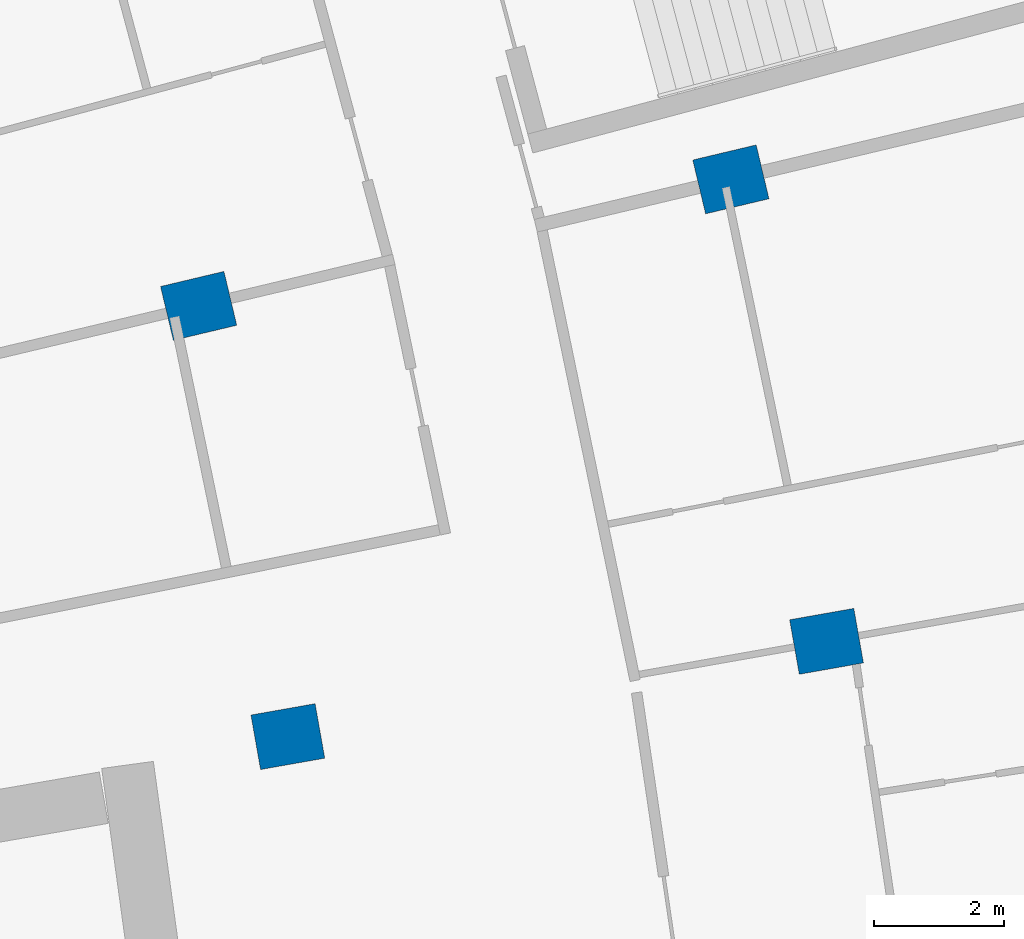
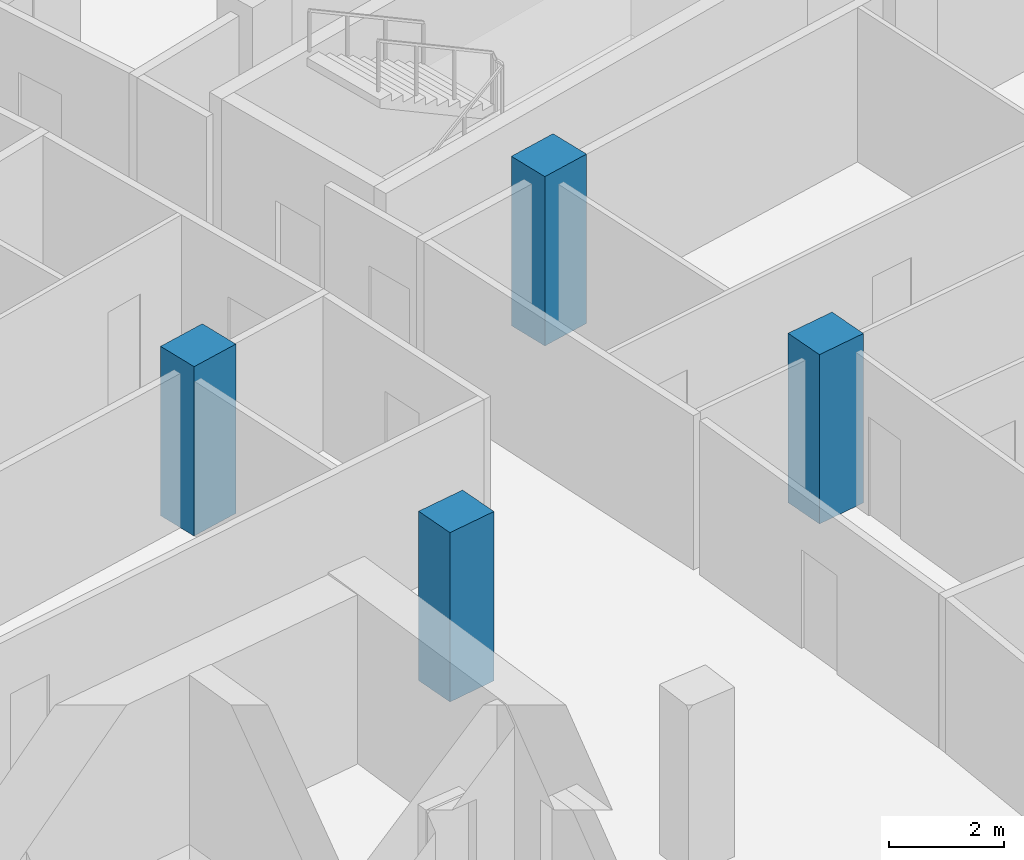
# One storey, part 8 of 25: 4 columns.
"""IFC4 building model written with IfcOpenShell, lengths in metres."""

import ifcopenshell
import ifcopenshell.guid

model = None  # the IFC model being written
_history = None  # IfcOwnerHistory: only IFC2X3 demands one
_inside = {}  # id of a spatial element -> (the spatial element, [elements in it])
_under = {}  # id of a project, library or spatial element -> (it, [spatial elements below it])
_declared = {}  # id of a project -> (the project, [libraries it declares])
_typed = {}  # id of a type object -> (the type object, [elements of that type])
_made_of = {}  # id of a material, layer set ... -> (it, [elements and type objects made of it])


def new_model(schema):
    """Start an empty IFC model of exactly this schema.

    Asked for "IFC4X3", IfcOpenShell would pick the latest addendum, in which some entities
    have other attributes; the version numbers below select the first issue.
    IFC2X3 requires an IfcOwnerHistory on every rooted entity: one is made here for all.
    """
    global model, _history
    if schema == "IFC4X3":
        model = ifcopenshell.file(schema_version=(4, 3, 0, 0))
    else:
        model = ifcopenshell.file(schema=schema)
    _inside.clear()
    _under.clear()
    _declared.clear()
    _typed.clear()
    _made_of.clear()
    _history = None
    if model.schema == "IFC2X3":
        org = make("IfcOrganization", Name="unknown")
        user = make(
            "IfcPersonAndOrganization",
            ThePerson=make("IfcPerson", FamilyName="unknown"),
            TheOrganization=org,
        )
        app = make(
            "IfcApplication",
            ApplicationDeveloper=org,
            Version="unknown",
            ApplicationFullName="unknown",
            ApplicationIdentifier="unknown",
        )
        _history = make(
            "IfcOwnerHistory",
            OwningUser=user,
            OwningApplication=app,
            ChangeAction="ADDED",
            CreationDate=0,
        )
    return model


def make(cls, **values):
    """One entity of the class cls with the attributes given. An attribute that is None is left unset."""
    return model.create_entity(
        cls, **{name: value for name, value in values.items() if value is not None}
    )


def rooted(cls, **values):
    """An entity with a GlobalId (a new one), such as an element, a storey or a relation."""
    return make(cls, GlobalId=ifcopenshell.guid.new(), OwnerHistory=_history, **values)


def si_unit(unit_type, name, prefix=None):
    """IfcSIUnit, for example si_unit("LENGTHUNIT", "METRE", prefix="MILLI")."""
    return make("IfcSIUnit", UnitType=unit_type, Prefix=prefix, Name=name)


def assignment(units):
    """IfcUnitAssignment: the units of a project."""
    return None if units is None else make("IfcUnitAssignment", Units=units)


def point(xyz):
    """IfcCartesianPoint."""
    return None if xyz is None else make("IfcCartesianPoint", Coordinates=xyz)


def direction(xyz):
    """IfcDirection."""
    return None if xyz is None else make("IfcDirection", DirectionRatios=xyz)


def frame(location, z_axis=None, x_axis=None):
    """IfcAxis2Placement3D, a coordinate frame: its origin and axes. An axis left out is left unset."""
    return make(
        "IfcAxis2Placement3D",
        Location=point(location),
        Axis=direction(z_axis),
        RefDirection=direction(x_axis),
    )


def frame_2d(location, x_axis=None):
    """IfcAxis2Placement2D, a coordinate frame in the plane: its origin and x axis."""
    return make(
        "IfcAxis2Placement2D", Location=point(location), RefDirection=direction(x_axis)
    )


def origin():
    """The frame at (0, 0, 0) with its axes left unset."""
    return frame((0.0, 0.0, 0.0))


def origin_2d():
    """The frame at (0, 0) in the plane with its x axis left unset."""
    return frame_2d((0.0, 0.0))


def place(relative_to, where):
    """IfcLocalPlacement: puts the frame where relative to a parent placement (None: the world)."""
    return make(
        "IfcLocalPlacement", PlacementRelTo=relative_to, RelativePlacement=where
    )


def context(
    kind, dimensions, precision=None, world=None, true_north=None, identifier=None
):
    """IfcGeometricRepresentationContext, for example the 3D "Model" context."""
    return make(
        "IfcGeometricRepresentationContext",
        ContextIdentifier=identifier,
        ContextType=kind,
        CoordinateSpaceDimension=dimensions,
        Precision=precision,
        WorldCoordinateSystem=world,
        TrueNorth=true_north,
    )


def subcontext(parent, identifier, kind, view, scale=None):
    """IfcGeometricRepresentationSubContext, for example "Body" below "Model"."""
    return make(
        "IfcGeometricRepresentationSubContext",
        ContextIdentifier=identifier,
        ContextType=kind,
        ParentContext=parent,
        TargetScale=scale,
        TargetView=view,
    )


def project(units=None, contexts=None):
    """IfcProject with its units and contexts."""
    return rooted(
        "IfcProject",
        Name="project",
        RepresentationContexts=contexts,
        UnitsInContext=assignment(units),
    )


def spatial(cls, under=None, at=None, **own):
    """A site, building, storey or space (cls), placed at a placement, below another one or the project."""
    s = rooted(cls, ObjectPlacement=at, **own)
    if under is not None:
        _under.setdefault(under.id(), (under, []))[1].append(s)
    return s


def profile(cls, at=None, kind="AREA", **sizes):
    """A parametric profile (cls). Its sizes go by their IFC names, for example OverallWidth=200.0."""
    return make(cls, ProfileType=kind, Position=at, **sizes)


def rectangle(**sizes):
    """IfcRectangleProfileDef."""
    return profile("IfcRectangleProfileDef", **sizes)


def extrude(swept, where, along, depth):
    """IfcExtrudedAreaSolid: the profile swept, set in the frame where, extruded along a direction by depth."""
    return make(
        "IfcExtrudedAreaSolid",
        SweptArea=swept,
        Position=where,
        ExtrudedDirection=direction(along),
        Depth=depth,
    )


def shape(context_of_items, identifier, shape_type, items):
    """IfcShapeRepresentation: the items that make up one representation, for example the "Body"."""
    return make(
        "IfcShapeRepresentation",
        ContextOfItems=context_of_items,
        RepresentationIdentifier=identifier,
        RepresentationType=shape_type,
        Items=items,
    )


def material(Name=None, Category=None):
    """IfcMaterial."""
    return make("IfcMaterial", Name=Name, Category=Category)


def material_profile(
    of_material, cross_section, Name=None, Category=None, Priority=None
):
    """IfcMaterialProfile: a cross section and its material."""
    return make(
        "IfcMaterialProfile",
        Name=Name,
        Material=of_material,
        Profile=cross_section,
        Priority=Priority,
        Category=Category,
    )


def profile_set(profiles, Name=None, composite=None):
    """IfcMaterialProfileSet."""
    return make(
        "IfcMaterialProfileSet",
        Name=Name,
        MaterialProfiles=profiles,
        CompositeProfile=composite,
    )


def made_of(thing, what):
    """Note that an element or type object is made of a material, layer set ...; save() writes the relation."""
    if what is not None:
        _made_of.setdefault(what.id(), (what, []))[1].append(thing)
    return thing


def type_object(cls, material=None, **own):
    """A type object (cls), such as IfcWallType, which elements share."""
    return made_of(rooted(cls, **own), material)


def element(
    cls,
    number,
    at=None,
    inside=None,
    cuts=None,
    type_object=None,
    material=None,
    context=None,
    identifier="Body",
    shape_type=None,
    held_by="IfcProductDefinitionShape",
    body=None,
    shapes=None,
    **own,
):
    """One element of the class cls, such as IfcWall. Its Tag is "e" and its number.

    at: its placement. inside: the storey or other place that contains it. cuts: it is an
    opening in that element (IfcRelVoidsElement). A single representation is given by context,
    identifier, shape_type and body (its items); several are given by shapes. held_by: the class
    of the entity that holds the representations. save() writes the other relations.
    """
    e = rooted(cls, Tag="e%d" % number, ObjectPlacement=at, **own)
    if body is not None:
        shapes = [shape(context, identifier, shape_type, body)]
    if shapes is not None:
        e.Representation = make(held_by, Representations=shapes)
    if inside is not None:
        _inside.setdefault(inside.id(), (inside, []))[1].append(e)
    if cuts is not None:
        rooted(
            "IfcRelVoidsElement", RelatingBuildingElement=cuts, RelatedOpeningElement=e
        )
    if type_object is not None:
        _typed.setdefault(type_object.id(), (type_object, []))[1].append(e)
    return made_of(e, material)


def aggregate(whole, parts):
    """IfcRelAggregates: a whole, such as a stair, and the parts it consists of."""
    return rooted("IfcRelAggregates", RelatingObject=whole, RelatedObjects=parts)


def save(model, path):
    """Write the relations noted so far, then the file.

    IfcRelAggregates (storeys below a building ...), IfcRelContainedInSpatialStructure (elements
    in a storey), IfcRelDefinesByType, IfcRelAssociatesMaterial and IfcRelDeclares: one each for
    every whole, place, type object, material and project.
    """
    for whole, parts in _under.values():
        aggregate(whole, parts)
    for where, things in _inside.values():
        rooted(
            "IfcRelContainedInSpatialStructure",
            RelatedElements=things,
            RelatingStructure=where,
        )
    for kind, things in _typed.values():
        rooted("IfcRelDefinesByType", RelatedObjects=things, RelatingType=kind)
    for what, things in _made_of.values():
        rooted("IfcRelAssociatesMaterial", RelatedObjects=things, RelatingMaterial=what)
    for by, libraries in _declared.values():
        rooted("IfcRelDeclares", RelatingContext=by, RelatedDefinitions=libraries)
    model.write(path)


model = new_model("IFC4")

# Units and contexts
model_context = context("Model", 3, precision=1e-05, world=origin(), true_north=direction((0.0, 1.0)))
body_context = subcontext(model_context, "Body", "Model", "MODEL_VIEW")
ifc_project = project(units=[si_unit("LENGTHUNIT", "METRE"), si_unit("AREAUNIT", "SQUARE_METRE"), si_unit("VOLUMEUNIT", "CUBIC_METRE"), si_unit("PLANEANGLEUNIT", "RADIAN"), si_unit("MASSUNIT", "GRAM", prefix="KILO")], contexts=[model_context])

# Site, building, storey
site_placement = place(None, origin())
site = spatial("IfcSite", under=ifc_project, at=site_placement, CompositionType="ELEMENT")
building_placement = place(site_placement, origin())
building = spatial("IfcBuilding", under=site, at=building_placement, Name="Alderwake Tower", CompositionType="ELEMENT")
storey_placement = place(building_placement, frame((0.0, 0.0, 107.60009765625)))
storey = spatial("IfcBuildingStorey", under=building, at=storey_placement, Name="L26", CompositionType="ELEMENT", Elevation=107.60009765625)

# Columns
ifc_material = material(Name="Concrete C70/85", Category="concrete")
ifc_material_profile = material_profile(ifc_material, rectangle(XDim=0.85009765625, YDim=1.0, at=origin_2d()), Name="RC 1000X850")
ifc_profile_set = profile_set([ifc_material_profile], Name="Concrete C70/85")
column_type = type_object("IfcColumnType", Name="Interior column Z2", PredefinedType="COLUMN", material=ifc_profile_set)
for number, where, z_axis, x_axis, name in (
    (1, (34.03125, 81.16162109375, 0.0), (0.0, 0.0, 1.0), (-0.174108800747, 0.984726421654, 0.0), "Column R10-C2"),
    (2, (42.302978515625, 82.624267578125, 0.0), (0.0, 0.0, 1.0), (-0.174108800747, 0.984726421654, 0.0), "Column R10-C3"),
    (3, (32.661865234375, 87.775390625, 0.0), (0.0, 0.0, 1.0), (-0.231221547198, 0.972901123502, 0.0), "Column R11-C2"),
    (4, (40.834228515625, 89.7177734375, 0.0), (0.0, 0.0, 1.0), (-0.231221547198, 0.972901123502, 0.0), "Column R11-C3"),
):
    element("IfcColumn", number, at=place(storey_placement, frame(where, z_axis=z_axis, x_axis=x_axis)), inside=storey, type_object=column_type, Name=name, PredefinedType="COLUMN", context=body_context, shape_type="SweptSolid", body=[
        extrude(rectangle(XDim=0.85009765625, YDim=1.0, at=origin_2d()), origin(), (0.0, 0.0, 1.0), 3.599853515625),
    ])

save(model, "model.ifc")
